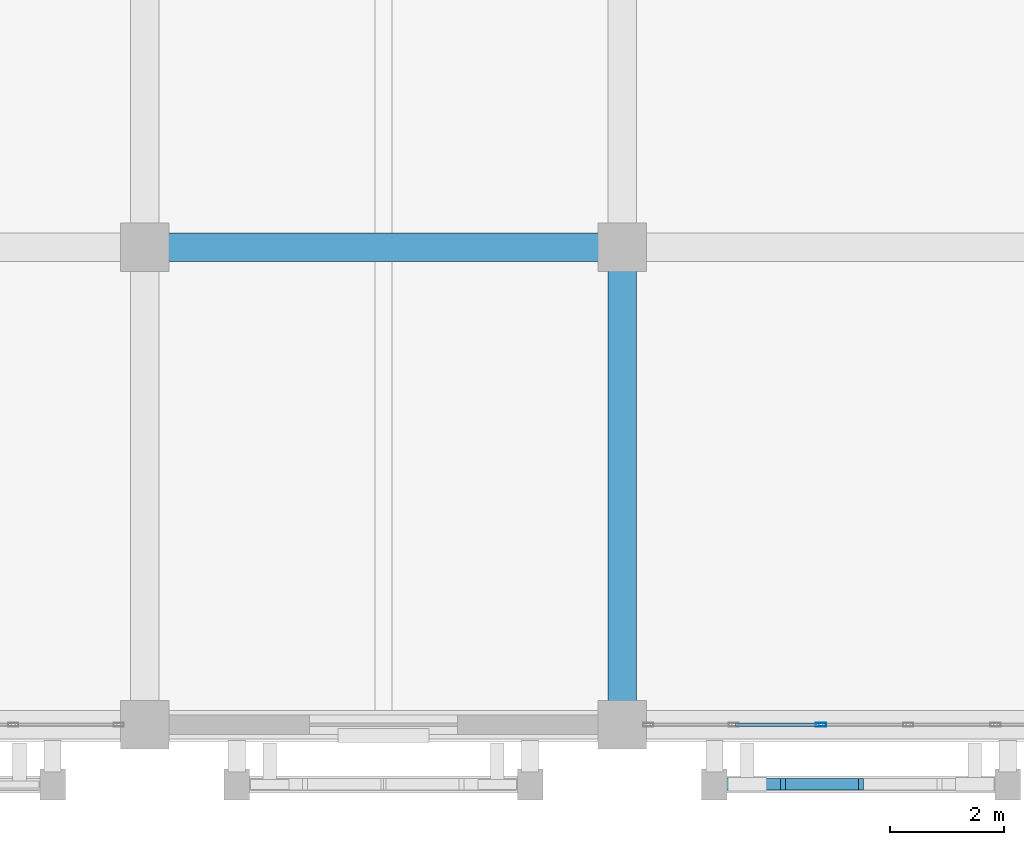
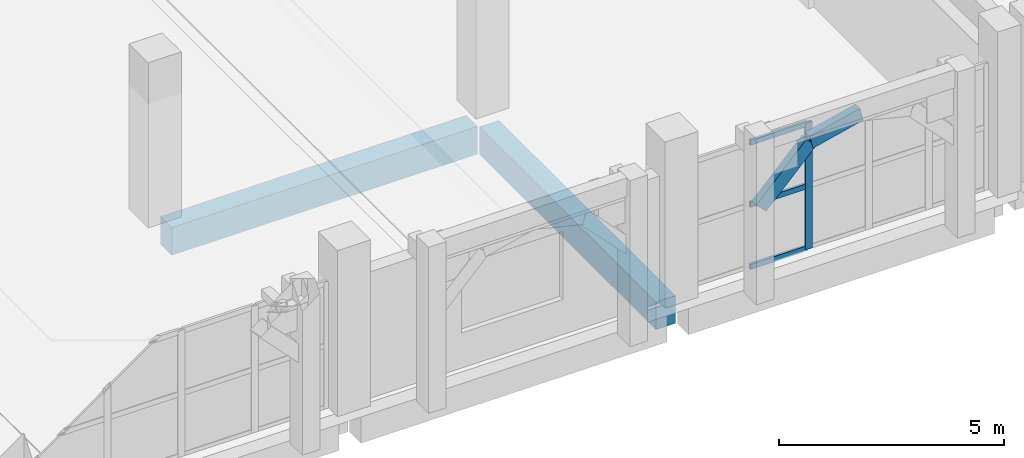
# One storey, part 16 of 137: 6 members, 2 beams, 1 element without a shape of its own.
"""IFC4 building model written with IfcOpenShell, lengths in metres."""

from ifc_helpers import new_model, si_unit, direction, frame, origin, origin_2d, place, context, subcontext, project, spatial, rectangle, hollow_rectangle, extrude, material, layer, layer_set, material_profile, profile_set, type_object, element, aggregate, save


model = new_model("IFC4")

# Units and contexts
model_context = context("Model", 3, precision=1e-05, world=origin(), true_north=direction((0.0, 1.0)))
body_context = subcontext(model_context, "Body", "Model", "MODEL_VIEW")
ifc_project = project(units=[si_unit("LENGTHUNIT", "METRE"), si_unit("AREAUNIT", "SQUARE_METRE"), si_unit("VOLUMEUNIT", "CUBIC_METRE"), si_unit("PLANEANGLEUNIT", "RADIAN"), si_unit("MASSUNIT", "GRAM", prefix="KILO")], contexts=[model_context])

# Site, building, storey
site_placement = place(None, origin())
site = spatial("IfcSite", under=ifc_project, at=site_placement, CompositionType="ELEMENT")
building_placement = place(site_placement, origin())
building = spatial("IfcBuilding", under=site, at=building_placement, Name="Xazarin Passage Department Store", CompositionType="ELEMENT")
storey_placement = place(building_placement, frame((0.0, 0.0, 5.39990234375)))
storey = spatial("IfcBuildingStorey", under=building, at=storey_placement, Name="L01", CompositionType="ELEMENT", Elevation=5.39990234375)

# Curtain wall, members
ifc_material_1 = material(Name="Bronze anodised aluminium", Category="aluminium")
ifc_layer = layer(ifc_material_1, 0.18994140625)
ifc_layer_set = layer_set([ifc_layer], Name="Bronze anodised aluminium")
curtain_wall_type = type_object("IfcCurtainWallType", Name="ARC-CW-FDH1", PredefinedType="NOTDEFINED", material=ifc_layer_set)
curtain_wall_placement = place(storey_placement, origin())
curtain_wall = element("IfcCurtainWall", 1, at=curtain_wall_placement, inside=storey, type_object=curtain_wall_type, Name="L01 V3 Curtain Wall 126", PredefinedType="NOTDEFINED")
ifc_material_profile_1 = material_profile(ifc_material_1, hollow_rectangle(XDim=0.06494140625, YDim=0.179931640625, WallThickness=0.00390625, at=origin_2d()), Name="ALU 65x180")
ifc_profile_set_1 = profile_set([ifc_material_profile_1], Name="Bronze anodised aluminium")
member_type_1 = type_object("IfcMemberType", Name="ARC-CWM-65x180", PredefinedType="MULLION", material=ifc_profile_set_1)
member_1_placement = place(storey_placement, frame((62.294921875, 0.0, 0.0), z_axis=(0.0, 0.0, 1.0), x_axis=(0.0, 1.0, 0.0)))
member_1 = element("IfcMember", 2, at=member_1_placement, type_object=member_type_1, Name="CW5 mullion 3", PredefinedType="MULLION", context=body_context, shape_type="SweptSolid", body=[
    extrude(hollow_rectangle(XDim=0.06494140625, YDim=0.179931640625, WallThickness=0.00390625, at=origin_2d()), origin(), (0.0, 0.0, 1.0), 3.43017578125),
])
ifc_material_profile_2 = material_profile(ifc_material_1, hollow_rectangle(XDim=0.06494140625, YDim=0.139892578125, WallThickness=0.00390625, at=origin_2d()), Name="ALU 65x140")
ifc_profile_set_2 = profile_set([ifc_material_profile_2], Name="Bronze anodised aluminium")
member_type_2 = type_object("IfcMemberType", Name="ARC-CWT-65x140", PredefinedType="USERDEFINED", material=ifc_profile_set_2)
member_2_placement = place(storey_placement, frame((60.79248046875, 0.0, 0.03271484375), z_axis=(1.0, 0.0, 0.0), x_axis=(0.0, 1.0, 0.0)))
member_2 = element("IfcMember", 3, at=member_2_placement, type_object=member_type_2, Name="CW5 transom 2.1", ObjectType="TRANSOM", PredefinedType="USERDEFINED", context=body_context, shape_type="SweptSolid", body=[
    extrude(hollow_rectangle(XDim=0.06494140625, YDim=0.139892578125, WallThickness=0.00390625, at=origin_2d()), origin(), (0.0, 0.0, 1.0), 1.469970703125),
])
member_3_placement = place(storey_placement, frame((60.79248046875, 0.0, 1.715087890625), z_axis=(1.0, 0.0, 0.0), x_axis=(0.0, 1.0, 0.0)))
member_3 = element("IfcMember", 4, at=member_3_placement, type_object=member_type_2, Name="CW5 transom 2.2", ObjectType="TRANSOM", PredefinedType="USERDEFINED", context=body_context, shape_type="SweptSolid", body=[
    extrude(hollow_rectangle(XDim=0.06494140625, YDim=0.139892578125, WallThickness=0.00390625, at=origin_2d()), origin(), (0.0, 0.0, 1.0), 1.469970703125),
])
member_4_placement = place(storey_placement, frame((60.79248046875, 0.0, 3.397705078125), z_axis=(1.0, 0.0, 0.0), x_axis=(0.0, 1.0, 0.0)))
member_4 = element("IfcMember", 5, at=member_4_placement, type_object=member_type_2, Name="CW5 transom 2.3", ObjectType="TRANSOM", PredefinedType="USERDEFINED", context=body_context, shape_type="SweptSolid", body=[
    extrude(hollow_rectangle(XDim=0.06494140625, YDim=0.139892578125, WallThickness=0.00390625, at=origin_2d()), origin(), (0.0, 0.0, 1.0), 1.469970703125),
])
aggregate(curtain_wall, [member_1, member_2, member_3, member_4])

# Beams
ifc_material_2 = material(Name="Concrete C35/45", Category="concrete")
ifc_material_profile_3 = material_profile(ifc_material_2, rectangle(XDim=0.5, YDim=0.75, at=origin_2d()), Name="RC 500x750")
ifc_profile_set_3 = profile_set([ifc_material_profile_3], Name="Concrete C35/45")
beam_type = type_object("IfcBeamType", Name="STR-BM-SP500x750", PredefinedType="SPANDREL", material=ifc_profile_set_3)
for number, where, z_axis, x_axis, name in (
    (6, (50.679931640625, 8.39990234375, -0.69482421875), (1.0, 0.0, 0.0), (0.0, 1.0, 0.0), "L01 Grid Beam B/7-8"),
    (7, (58.800048828125, 0.280029296875, -0.69482421875), (0.0, 1.0, 0.0), (-1.0, 0.0, 0.0), "L01 Grid Beam 8/A-B"),
):
    element("IfcBeam", number, at=place(storey_placement, frame(where, z_axis=z_axis, x_axis=x_axis)), inside=storey, type_object=beam_type, Name=name, PredefinedType="SPANDREL", context=body_context, shape_type="SweptSolid", body=[
        extrude(rectangle(XDim=0.5, YDim=0.75, at=origin_2d()), origin(), (0.0, 0.0, 1.0), 7.840087890625),
    ])

# Members
ifc_material_3 = material(Name="Concrete C40/50", Category="concrete")
ifc_material_profile_4 = material_profile(ifc_material_3, rectangle(XDim=0.199951171875, YDim=0.360107421875, at=origin_2d()), Name="RC 200x360")
ifc_profile_set_4 = profile_set([ifc_material_profile_4], Name="Concrete C40/50")
member_type_3 = type_object("IfcMemberType", Name="STR-MEM-ARC360", PredefinedType="CHORD", material=ifc_profile_set_4)
member_5_placement = place(storey_placement, frame((60.419921875, -1.050048828125, 2.43017578125), z_axis=(0.693460080602, 0.0, 0.720495049679), x_axis=(0.0, 1.0, 0.0)))
element("IfcMember", 8, at=member_5_placement, inside=storey, type_object=member_type_3, Name="L01 V3 Pierced Lattice Curved Arch 033.1", PredefinedType="CHORD", context=body_context, shape_type="SweptSolid", body=[
    extrude(rectangle(XDim=0.199951171875, YDim=0.360107421875, at=origin_2d()), origin(), (0.0, 0.0, 1.0), 1.8603515625),
])
member_6_placement = place(storey_placement, frame((61.7099609375, -1.050048828125, 3.7705078125), z_axis=(0.972393983317, 0.0, 0.233345111818), x_axis=(0.0, 1.0, 0.0)))
element("IfcMember", 9, at=member_6_placement, inside=storey, type_object=member_type_3, Name="L01 V3 Pierced Lattice Curved Arch 033.2", PredefinedType="CHORD", context=body_context, shape_type="SweptSolid", body=[
    extrude(rectangle(XDim=0.199951171875, YDim=0.360107421875, at=origin_2d()), origin(), (0.0, 0.0, 1.0), 1.32666015625),
])

save(model, "model.ifc")
